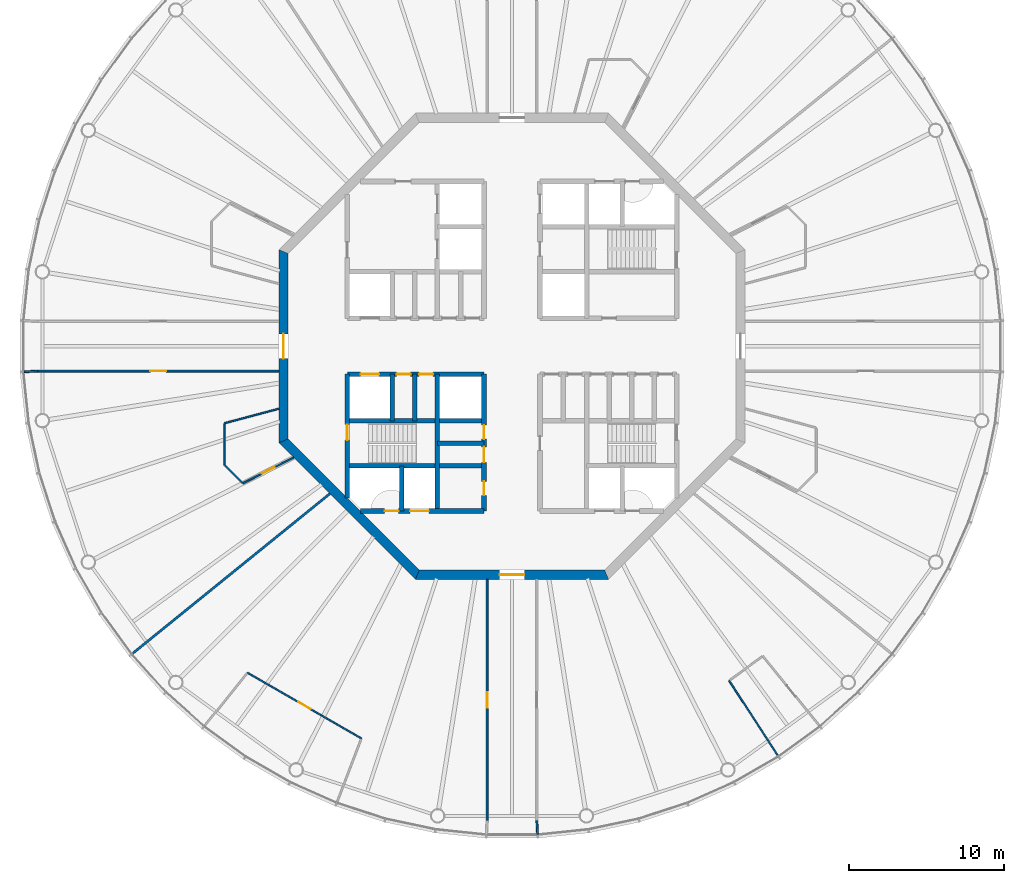
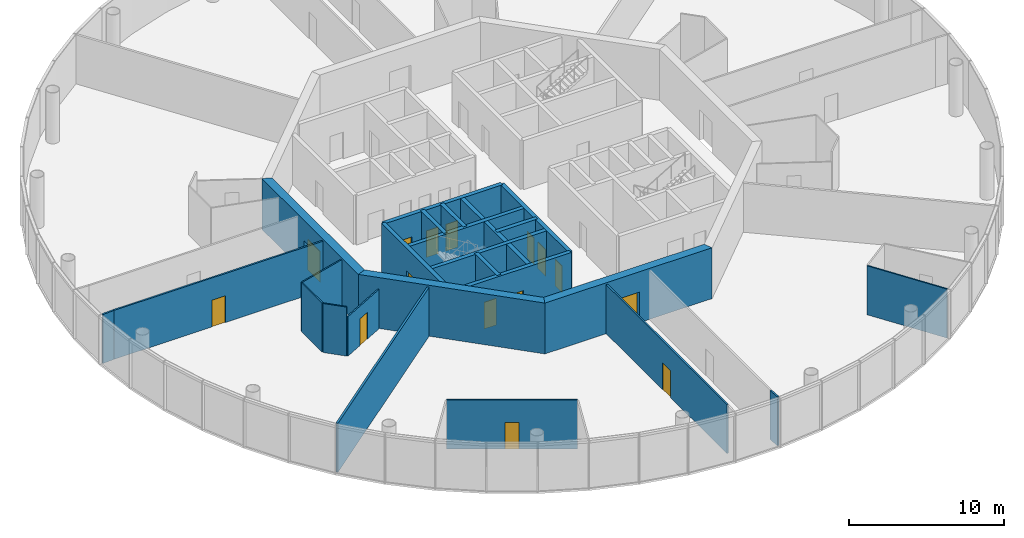
# One storey, part 3 of 13: 25 walls, 15 doors, 15 openings.
"""IFC4 building model written with IfcOpenShell, lengths in metres."""

from ifc_helpers import new_model, si_unit, direction, frame, frame_2d, origin, place, context, subcontext, project, spatial, polyline, rectangle, outline, extrude, material, layer, layer_set, type_object, element, fill, save


model = new_model("IFC4")

# Units and contexts
model_context = context("Model", 3, precision=1e-05, world=origin(), true_north=direction((0.0, 1.0)))
body_context = subcontext(model_context, "Body", "Model", "MODEL_VIEW")
ifc_project = project(units=[si_unit("LENGTHUNIT", "METRE"), si_unit("AREAUNIT", "SQUARE_METRE"), si_unit("VOLUMEUNIT", "CUBIC_METRE"), si_unit("PLANEANGLEUNIT", "RADIAN"), si_unit("MASSUNIT", "GRAM", prefix="KILO")], contexts=[model_context])

# Site, building, storey
site_placement = place(None, origin())
site = spatial("IfcSite", under=ifc_project, at=site_placement, CompositionType="ELEMENT")
building_placement = place(site_placement, origin())
building = spatial("IfcBuilding", under=site, at=building_placement, Name="Entoto Ring Tower", CompositionType="ELEMENT")
storey_placement = place(building_placement, frame((0.0, 0.0, 340.0)))
storey = spatial("IfcBuildingStorey", under=building, at=storey_placement, Name="L78", CompositionType="ELEMENT", Elevation=340.0)

# Wall, openings, doors
ifc_material_1 = material(Name="Concrete C40/50", Category="concrete")
ifc_layer_1 = layer(ifc_material_1, 0.300048828125)
ifc_layer_set_1 = layer_set([ifc_layer_1], Name="Concrete C40/50")
wall_type_1 = type_object("IfcWallType", Name="Core enclosure wall 300 mm reinforced concrete", PredefinedType="SOLIDWALL", material=ifc_layer_set_1)
wall_1_placement = place(storey_placement, frame((88.199951171875, 69.39990234375, 0.0), z_axis=(0.0, 0.0, 1.0), x_axis=(0.0, 1.0, 0.0)))
wall_1 = element("IfcWall", 1, at=wall_1_placement, inside=storey, type_object=wall_type_1, Name="wall-L78-013", PredefinedType="SOLIDWALL", context=body_context, shape_type="SweptSolid", body=[
    extrude(rectangle(XDim=8.800048828125, YDim=0.300048828125, at=frame_2d((4.39990234375, 0.0))), origin(), (0.0, 0.0, 1.0), 3.85009765625),
])
opening_1_placement = place(wall_1_placement, frame((3.125, 0.0, 0.0)))
opening_1 = element("IfcOpeningElement", 2, at=opening_1_placement, cuts=wall_1, Name="Opening K-70", PredefinedType="OPENING", context=body_context, shape_type="SweptSolid", body=[
    extrude(rectangle(XDim=1.0, YDim=2.10009765625, at=frame_2d((0.5, 1.050048828125))), frame((0.0, 0.16015625, 0.0), z_axis=(0.0, -1.0, 0.0), x_axis=(1.0, 0.0, 0.0)), (0.0, 0.0, 1.0), 0.320068359375),
])
opening_2_placement = place(wall_1_placement, frame((4.625, 0.0, 0.0)))
opening_2 = element("IfcOpeningElement", 3, at=opening_2_placement, cuts=wall_1, Name="Opening K-71", PredefinedType="OPENING", context=body_context, shape_type="SweptSolid", body=[
    extrude(rectangle(XDim=0.89990234375, YDim=2.10009765625, at=frame_2d((0.449951171875, 1.050048828125))), frame((0.0, 0.16015625, 0.0), z_axis=(0.0, -1.0, 0.0), x_axis=(1.0, 0.0, 0.0)), (0.0, 0.0, 1.0), 0.320068359375),
])
opening_3_placement = place(wall_1_placement, frame((1.0, 0.0, 0.0)))
opening_3 = element("IfcOpeningElement", 4, at=opening_3_placement, cuts=wall_1, Name="Opening K-24", PredefinedType="OPENING", context=body_context, shape_type="SweptSolid", body=[
    extrude(rectangle(XDim=0.89990234375, YDim=2.10009765625, at=frame_2d((0.449951171875, 1.050048828125))), frame((0.0, 0.16015625, 0.0), z_axis=(0.0, -1.0, 0.0), x_axis=(1.0, 0.0, 0.0)), (0.0, 0.0, 1.0), 0.320068359375),
])
ifc_material_2 = material(Name="Steel door leaf, fire rated", Category="steel")
ifc_layer_2 = layer(ifc_material_2, 0.050048828125)
ifc_layer_set_2 = layer_set([ifc_layer_2], Name="Steel door leaf, fire rated")
door_type_1 = type_object("IfcDoorType", Name="Accessible door 1000 x 2100 single leaf", OperationType="NOTDEFINED", PredefinedType="DOOR", material=ifc_layer_set_2)
door_1_placement = place(opening_1_placement, origin())
door_1 = element("IfcDoor", 5, at=door_1_placement, inside=storey, type_object=door_type_1, Name="Door K-70", OperationType="SINGLE_SWING_RIGHT", OverallHeight=2.10009765625, OverallWidth=1.0, PredefinedType="DOOR", context=body_context, shape_type="SweptSolid", body=[
    extrude(rectangle(XDim=1.0, YDim=2.10009765625, at=frame_2d((0.5, 1.050048828125))), frame((0.0, 0.02490234375, 0.0), z_axis=(0.0, -1.0, 0.0), x_axis=(1.0, 0.0, 0.0)), (0.0, 0.0, 1.0), 0.050048828125),
])
fill(opening_1, door_1)
ifc_material_3 = material(Name="Steel door leaf, fire rated", Category="steel")
ifc_layer_3 = layer(ifc_material_3, 0.050048828125)
ifc_layer_set_3 = layer_set([ifc_layer_3], Name="Steel door leaf, fire rated")
door_type_2 = type_object("IfcDoorType", Name="Core door 900 x 2100 single leaf", OperationType="NOTDEFINED", PredefinedType="DOOR", material=ifc_layer_set_3)
door_2_placement = place(opening_2_placement, origin())
door_2 = element("IfcDoor", 6, at=door_2_placement, inside=storey, type_object=door_type_2, Name="Door K-71", OperationType="SINGLE_SWING_RIGHT", OverallHeight=2.10009765625, OverallWidth=0.89990234375, PredefinedType="DOOR", context=body_context, shape_type="SweptSolid", body=[
    extrude(rectangle(XDim=0.89990234375, YDim=2.10009765625, at=frame_2d((0.449951171875, 1.050048828125))), frame((0.0, 0.02490234375, 0.0), z_axis=(0.0, -1.0, 0.0), x_axis=(1.0, 0.0, 0.0)), (0.0, 0.0, 1.0), 0.050048828125),
])
fill(opening_2, door_2)
door_3_placement = place(opening_3_placement, origin())
door_3 = element("IfcDoor", 7, at=door_3_placement, inside=storey, type_object=door_type_2, Name="Door K-24", OperationType="SINGLE_SWING_RIGHT", OverallHeight=2.10009765625, OverallWidth=0.89990234375, PredefinedType="DOOR", context=body_context, shape_type="SweptSolid", body=[
    extrude(rectangle(XDim=0.89990234375, YDim=2.10009765625, at=frame_2d((0.449951171875, 1.050048828125))), frame((0.0, 0.02490234375, 0.0), z_axis=(0.0, -1.0, 0.0), x_axis=(1.0, 0.0, 0.0)), (0.0, 0.0, 1.0), 0.050048828125),
])
fill(opening_3, door_3)

# Walls
wall_2_placement = place(storey_placement, frame((85.199951171875, 69.39990234375, 0.0), z_axis=(0.0, 0.0, 1.0), x_axis=(0.0, 1.0, 0.0)))
element("IfcWall", 8, at=wall_2_placement, inside=storey, type_object=wall_type_1, Name="wall-L78-016", PredefinedType="SOLIDWALL", context=body_context, shape_type="SweptSolid", body=[
    extrude(rectangle(XDim=8.800048828125, YDim=0.300048828125, at=frame_2d((4.39990234375, 0.0))), origin(), (0.0, 0.0, 1.0), 3.85009765625),
])
wall_3_placement = place(storey_placement, frame((83.75, 75.199951171875, 0.0), z_axis=(0.0, 0.0, 1.0), x_axis=(0.0, 1.0, 0.0)))
element("IfcWall", 9, at=wall_3_placement, inside=storey, type_object=wall_type_1, Name="wall-L78-018", PredefinedType="SOLIDWALL", context=body_context, shape_type="SweptSolid", body=[
    extrude(rectangle(XDim=3.0, YDim=0.300048828125, at=frame_2d((1.5, 0.0))), origin(), (0.0, 0.0, 1.0), 3.85009765625),
])
wall_4_placement = place(storey_placement, frame((82.89990234375, 69.39990234375, 0.0), z_axis=(0.0, 0.0, 1.0), x_axis=(0.0, 1.0, 0.0)))
element("IfcWall", 10, at=wall_4_placement, inside=storey, type_object=wall_type_1, Name="wall-L78-020", PredefinedType="SOLIDWALL", context=body_context, shape_type="SweptSolid", body=[
    extrude(rectangle(XDim=2.900146484375, YDim=0.300048828125, at=frame_2d((1.4501953125, 0.0))), origin(), (0.0, 0.0, 1.0), 3.85009765625),
])
wall_5_placement = place(storey_placement, frame((82.300048828125, 75.199951171875, 0.0), z_axis=(0.0, 0.0, 1.0), x_axis=(0.0, 1.0, 0.0)))
element("IfcWall", 11, at=wall_5_placement, inside=storey, type_object=wall_type_1, Name="wall-L78-021", PredefinedType="SOLIDWALL", context=body_context, shape_type="SweptSolid", body=[
    extrude(rectangle(XDim=3.0, YDim=0.300048828125, at=frame_2d((1.5, 0.0))), origin(), (0.0, 0.0, 1.0), 3.85009765625),
])

# Wall, opening, door
wall_6_placement = place(storey_placement, frame((79.39990234375, 70.2353515625, 0.0), z_axis=(0.0, 0.0, 1.0), x_axis=(0.0, 1.0, 0.0)))
wall_6 = element("IfcWall", 12, at=wall_6_placement, inside=storey, type_object=wall_type_1, Name="wall-L78-023", PredefinedType="SOLIDWALL", context=body_context, shape_type="SweptSolid", body=[
    extrude(rectangle(XDim=7.964599609375, YDim=0.300048828125, at=frame_2d((3.982421875, 0.0))), origin(), (0.0, 0.0, 1.0), 3.85009765625),
])
opening_4_placement = place(wall_6_placement, frame((3.714599609375, 0.0, 0.0)))
opening_4 = element("IfcOpeningElement", 13, at=opening_4_placement, cuts=wall_6, Name="Opening K-30", PredefinedType="OPENING", context=body_context, shape_type="SweptSolid", body=[
    extrude(rectangle(XDim=1.0, YDim=2.10009765625, at=frame_2d((0.5, 1.050048828125))), frame((0.0, 0.16015625, 0.0), z_axis=(0.0, -1.0, 0.0), x_axis=(1.0, 0.0, 0.0)), (0.0, 0.0, 1.0), 0.320068359375),
])
ifc_material_4 = material(Name="Steel door leaf, fire rated", Category="steel")
ifc_layer_4 = layer(ifc_material_4, 0.050048828125)
ifc_layer_set_4 = layer_set([ifc_layer_4], Name="Steel door leaf, fire rated")
door_type_3 = type_object("IfcDoorType", Name="Fire door FD60 1000 x 2100 single leaf", OperationType="NOTDEFINED", PredefinedType="DOOR", material=ifc_layer_set_4)
door_4_placement = place(opening_4_placement, frame((1.0, 0.0, 0.0), z_axis=(0.0, 0.0, 1.0), x_axis=(-1.0, 0.0, 0.0)))
door_4 = element("IfcDoor", 14, at=door_4_placement, inside=storey, type_object=door_type_3, Name="Door K-30", OperationType="SINGLE_SWING_LEFT", OverallHeight=2.10009765625, OverallWidth=1.0, PredefinedType="DOOR", context=body_context, shape_type="SweptSolid", body=[
    extrude(rectangle(XDim=1.0, YDim=2.10009765625, at=frame_2d((0.5, 1.050048828125))), frame((0.0, 0.02490234375, 0.0), z_axis=(0.0, -1.0, 0.0), x_axis=(1.0, 0.0, 0.0)), (0.0, 0.0, 1.0), 0.050048828125),
])
fill(opening_4, door_4)

# Wall, openings, doors
wall_7_placement = place(storey_placement, frame((80.2353515625, 69.39990234375, 0.0), z_axis=(0.0, 0.0, 1.0), x_axis=(1.0, 0.0, 0.0)))
wall_7 = element("IfcWall", 15, at=wall_7_placement, inside=storey, type_object=wall_type_1, Name="wall-L78-025", PredefinedType="SOLIDWALL", context=body_context, shape_type="SweptSolid", body=[
    extrude(rectangle(XDim=7.964599609375, YDim=0.300048828125, at=frame_2d((3.982421875, 0.0))), origin(), (0.0, 0.0, 1.0), 3.85009765625),
])
opening_5_placement = place(wall_7_placement, frame((3.214599609375, 0.0, 0.0)))
opening_5 = element("IfcOpeningElement", 16, at=opening_5_placement, cuts=wall_7, Name="Opening LD", PredefinedType="OPENING", context=body_context, shape_type="SweptSolid", body=[
    extrude(rectangle(XDim=1.199951171875, YDim=2.10009765625, at=frame_2d((0.60009765625, 1.050048828125))), frame((0.0, 0.16015625, 0.0), z_axis=(0.0, -1.0, 0.0), x_axis=(1.0, 0.0, 0.0)), (0.0, 0.0, 1.0), 0.320068359375),
])
opening_6_placement = place(wall_7_placement, frame((1.564697265625, 0.0, 0.0)))
opening_6 = element("IfcOpeningElement", 17, at=opening_6_placement, cuts=wall_7, Name="Opening K-33", PredefinedType="OPENING", context=body_context, shape_type="SweptSolid", body=[
    extrude(rectangle(XDim=0.89990234375, YDim=2.10009765625, at=frame_2d((0.449951171875, 1.050048828125))), frame((0.0, 0.16015625, 0.0), z_axis=(0.0, -1.0, 0.0), x_axis=(1.0, 0.0, 0.0)), (0.0, 0.0, 1.0), 0.320068359375),
])
ifc_material_5 = material(Name="Steel and glass door leaf", Category="steel")
ifc_layer_5 = layer(ifc_material_5, 0.050048828125)
ifc_layer_set_5 = layer_set([ifc_layer_5], Name="Steel and glass door leaf")
door_type_4 = type_object("IfcDoorType", Name="Landing door 1200 x 2100 sliding", OperationType="DOUBLE_DOOR_SLIDING", PredefinedType="DOOR", material=ifc_layer_set_5)
door_5_placement = place(opening_5_placement, origin())
door_5 = element("IfcDoor", 18, at=door_5_placement, inside=storey, type_object=door_type_4, Name="Landing door LB3-HR", OperationType="SLIDING_TO_RIGHT", OverallHeight=2.10009765625, OverallWidth=1.199951171875, PredefinedType="DOOR", context=body_context, shape_type="SweptSolid", body=[
    extrude(rectangle(XDim=1.199951171875, YDim=2.10009765625, at=frame_2d((0.60009765625, 1.050048828125))), frame((0.0, 0.02490234375, 0.0), z_axis=(0.0, -1.0, 0.0), x_axis=(1.0, 0.0, 0.0)), (0.0, 0.0, 1.0), 0.050048828125),
])
fill(opening_5, door_5)
ifc_material_6 = material(Name="Steel door leaf, fire rated", Category="steel")
ifc_layer_6 = layer(ifc_material_6, 0.050048828125)
ifc_layer_set_6 = layer_set([ifc_layer_6], Name="Steel door leaf, fire rated")
door_type_5 = type_object("IfcDoorType", Name="Riser door FD60 900 x 2100 single leaf", OperationType="NOTDEFINED", PredefinedType="DOOR", material=ifc_layer_set_6)
door_6_placement = place(opening_6_placement, origin())
door_6 = element("IfcDoor", 19, at=door_6_placement, inside=storey, type_object=door_type_5, Name="Door K-33", OperationType="SINGLE_SWING_RIGHT", OverallHeight=2.10009765625, OverallWidth=0.89990234375, PredefinedType="DOOR", context=body_context, shape_type="SweptSolid", body=[
    extrude(rectangle(XDim=0.89990234375, YDim=2.10009765625, at=frame_2d((0.449951171875, 1.050048828125))), frame((0.0, 0.02490234375, 0.0), z_axis=(0.0, -1.0, 0.0), x_axis=(1.0, 0.0, 0.0)), (0.0, 0.0, 1.0), 0.050048828125),
])
fill(opening_6, door_6)

# Walls
wall_8_placement = place(storey_placement, frame((79.39990234375, 72.300048828125, 0.0), z_axis=(0.0, 0.0, 1.0), x_axis=(1.0, 0.0, 0.0)))
element("IfcWall", 20, at=wall_8_placement, inside=storey, type_object=wall_type_1, Name="wall-L78-027", PredefinedType="SOLIDWALL", context=body_context, shape_type="SweptSolid", body=[
    extrude(rectangle(XDim=8.800048828125, YDim=0.300048828125, at=frame_2d((4.39990234375, 0.0))), origin(), (0.0, 0.0, 1.0), 3.85009765625),
])
wall_9_placement = place(storey_placement, frame((85.199951171875, 73.75, 0.0), z_axis=(0.0, 0.0, 1.0), x_axis=(1.0, 0.0, 0.0)))
element("IfcWall", 21, at=wall_9_placement, inside=storey, type_object=wall_type_1, Name="wall-L78-029", PredefinedType="SOLIDWALL", context=body_context, shape_type="SweptSolid", body=[
    extrude(rectangle(XDim=3.0, YDim=0.300048828125, at=frame_2d((1.5, 0.0))), origin(), (0.0, 0.0, 1.0), 3.85009765625),
])
wall_10_placement = place(storey_placement, frame((79.39990234375, 75.199951171875, 0.0), z_axis=(0.0, 0.0, 1.0), x_axis=(1.0, 0.0, 0.0)))
element("IfcWall", 22, at=wall_10_placement, inside=storey, type_object=wall_type_1, Name="wall-L78-030", PredefinedType="SOLIDWALL", context=body_context, shape_type="SweptSolid", body=[
    extrude(rectangle(XDim=8.800048828125, YDim=0.300048828125, at=frame_2d((4.39990234375, 0.0))), origin(), (0.0, 0.0, 1.0), 3.85009765625),
])

# Wall, openings, doors
wall_11_placement = place(storey_placement, frame((79.39990234375, 78.199951171875, 0.0), z_axis=(0.0, 0.0, 1.0), x_axis=(1.0, 0.0, 0.0)))
wall_11 = element("IfcWall", 23, at=wall_11_placement, inside=storey, type_object=wall_type_1, Name="wall-L78-032", PredefinedType="SOLIDWALL", context=body_context, shape_type="SweptSolid", body=[
    extrude(rectangle(XDim=8.800048828125, YDim=0.300048828125, at=frame_2d((4.39990234375, 0.0))), origin(), (0.0, 0.0, 1.0), 3.85009765625),
])
opening_7_placement = place(wall_11_placement, frame((0.85009765625, 0.0, 0.0)))
opening_7 = element("IfcOpeningElement", 24, at=opening_7_placement, cuts=wall_11, Name="Opening LD", PredefinedType="OPENING", context=body_context, shape_type="SweptSolid", body=[
    extrude(rectangle(XDim=1.199951171875, YDim=2.10009765625, at=frame_2d((0.60009765625, 1.050048828125))), frame((0.0, 0.16015625, 0.0), z_axis=(0.0, -1.0, 0.0), x_axis=(1.0, 0.0, 0.0)), (0.0, 0.0, 1.0), 0.320068359375),
])
opening_8_placement = place(wall_11_placement, frame((3.175048828125, 0.0, 0.0)))
opening_8 = element("IfcOpeningElement", 25, at=opening_8_placement, cuts=wall_11, Name="Opening K-18", PredefinedType="OPENING", context=body_context, shape_type="SweptSolid", body=[
    extrude(rectangle(XDim=0.89990234375, YDim=2.10009765625, at=frame_2d((0.449951171875, 1.050048828125))), frame((0.0, 0.16015625, 0.0), z_axis=(0.0, -1.0, 0.0), x_axis=(1.0, 0.0, 0.0)), (0.0, 0.0, 1.0), 0.320068359375),
])
opening_9_placement = place(wall_11_placement, frame((4.625, 0.0, 0.0)))
opening_9 = element("IfcOpeningElement", 26, at=opening_9_placement, cuts=wall_11, Name="Opening K-19", PredefinedType="OPENING", context=body_context, shape_type="SweptSolid", body=[
    extrude(rectangle(XDim=0.89990234375, YDim=2.10009765625, at=frame_2d((0.449951171875, 1.050048828125))), frame((0.0, 0.16015625, 0.0), z_axis=(0.0, -1.0, 0.0), x_axis=(1.0, 0.0, 0.0)), (0.0, 0.0, 1.0), 0.320068359375),
])
door_7_placement = place(opening_8_placement, frame((0.89990234375, 0.0, 0.0), z_axis=(0.0, 0.0, 1.0), x_axis=(-1.0, 0.0, 0.0)))
door_7 = element("IfcDoor", 27, at=door_7_placement, inside=storey, type_object=door_type_2, Name="Door K-18", OperationType="SINGLE_SWING_LEFT", OverallHeight=2.10009765625, OverallWidth=0.89990234375, PredefinedType="DOOR", context=body_context, shape_type="SweptSolid", body=[
    extrude(rectangle(XDim=0.89990234375, YDim=2.10009765625, at=frame_2d((0.449951171875, 1.050048828125))), frame((0.0, 0.02490234375, 0.0), z_axis=(0.0, -1.0, 0.0), x_axis=(1.0, 0.0, 0.0)), (0.0, 0.0, 1.0), 0.050048828125),
])
fill(opening_8, door_7)
door_8_placement = place(opening_9_placement, frame((0.89990234375, 0.0, 0.0), z_axis=(0.0, 0.0, 1.0), x_axis=(-1.0, 0.0, 0.0)))
door_8 = element("IfcDoor", 28, at=door_8_placement, inside=storey, type_object=door_type_2, Name="Door K-19", OperationType="SINGLE_SWING_LEFT", OverallHeight=2.10009765625, OverallWidth=0.89990234375, PredefinedType="DOOR", context=body_context, shape_type="SweptSolid", body=[
    extrude(rectangle(XDim=0.89990234375, YDim=2.10009765625, at=frame_2d((0.449951171875, 1.050048828125))), frame((0.0, 0.02490234375, 0.0), z_axis=(0.0, -1.0, 0.0), x_axis=(1.0, 0.0, 0.0)), (0.0, 0.0, 1.0), 0.050048828125),
])
fill(opening_9, door_8)
door_9_placement = place(opening_7_placement, origin())
door_9 = element("IfcDoor", 29, at=door_9_placement, inside=storey, type_object=door_type_4, Name="Landing door SH2", OperationType="SLIDING_TO_RIGHT", OverallHeight=2.10009765625, OverallWidth=1.199951171875, PredefinedType="DOOR", context=body_context, shape_type="SweptSolid", body=[
    extrude(rectangle(XDim=1.199951171875, YDim=2.10009765625, at=frame_2d((0.60009765625, 1.050048828125))), frame((0.0, 0.02490234375, 0.0), z_axis=(0.0, -1.0, 0.0), x_axis=(1.0, 0.0, 0.0)), (0.0, 0.0, 1.0), 0.050048828125),
])
fill(opening_7, door_9)

# Wall, opening, door
ifc_material_7 = material(Name="Concrete C40/50", Category="concrete")
ifc_layer_7 = layer(ifc_material_7, 0.60009765625)
ifc_layer_set_7 = layer_set([ifc_layer_7], Name="Concrete C40/50")
wall_type_2 = type_object("IfcWallType", Name="Core shear wall 600 mm reinforced concrete C40/50", PredefinedType="SHEAR", material=ifc_layer_set_7)
wall_12_placement = place(storey_placement, frame((75.300048828125, 86.0888671875, 0.0), z_axis=(0.0, 0.0, 1.0), x_axis=(0.0, -1.0, 0.0)))
wall_12 = element("IfcWall", 30, at=wall_12_placement, inside=storey, type_object=wall_type_2, Name="wall-L78-core-4", PredefinedType="SHEAR", context=body_context, shape_type="SweptSolid", body=[
    extrude(outline(polyline([(-0.124267578125, -0.300048828125), (12.302001953125, -0.300048828125), (12.053466796875, 0.300048828125), (0.124267578125, 0.300048828125), (-0.124267578125, -0.300048828125)])), origin(), (0.0, 0.0, 1.0), 4.0),
])
opening_10_placement = place(wall_12_placement, frame((5.288818359375, 0.0, 0.0)))
opening_10 = element("IfcOpeningElement", 31, at=opening_10_placement, cuts=wall_12, Name="Opening K-03", PredefinedType="OPENING", context=body_context, shape_type="SweptSolid", body=[
    extrude(rectangle(XDim=1.60009765625, YDim=2.39990234375, at=frame_2d((0.800048828125, 1.199951171875))), frame((0.0, 0.31005859375, 0.0), z_axis=(0.0, -1.0, 0.0), x_axis=(1.0, 0.0, 0.0)), (0.0, 0.0, 1.0), 0.6201171875),
])
ifc_material_8 = material(Name="Steel door leaf, fire rated", Category="steel")
ifc_layer_8 = layer(ifc_material_8, 0.050048828125)
ifc_layer_set_8 = layer_set([ifc_layer_8], Name="Steel door leaf, fire rated")
door_type_6 = type_object("IfcDoorType", Name="Entrance door FD60 1600 x 2400 double leaf", OperationType="DOUBLE_DOOR_SINGLE_SWING", PredefinedType="DOOR", material=ifc_layer_set_8)
door_10_placement = place(opening_10_placement, origin())
door_10 = element("IfcDoor", 32, at=door_10_placement, inside=storey, type_object=door_type_6, Name="Entrance door K-03", OperationType="DOUBLE_DOOR_SINGLE_SWING", OverallHeight=2.39990234375, OverallWidth=1.60009765625, PredefinedType="DOOR", context=body_context, shape_type="SweptSolid", body=[
    extrude(rectangle(XDim=1.60009765625, YDim=2.39990234375, at=frame_2d((0.800048828125, 1.199951171875))), frame((0.0, 0.02490234375, 0.0), z_axis=(0.0, -1.0, 0.0), x_axis=(1.0, 0.0, 0.0)), (0.0, 0.0, 1.0), 0.050048828125),
])
fill(opening_10, door_10)

# Wall
wall_13_placement = place(storey_placement, frame((75.300048828125, 73.9111328125, 0.0), z_axis=(0.0, 0.0, 1.0), x_axis=(0.707106781187, -0.707106781187, 0.0)))
element("IfcWall", 33, at=wall_13_placement, inside=storey, type_object=wall_type_2, Name="wall-L78-core-5", PredefinedType="SHEAR", context=body_context, shape_type="SweptSolid", body=[
    extrude(outline(polyline([(-0.124267578125, -0.300048828125), (12.30224609375, -0.300048828125), (12.0537109375, 0.300048828125), (0.124267578125, 0.300048828125), (-0.124267578125, -0.300048828125)])), origin(), (0.0, 0.0, 1.0), 4.0),
])

# Wall, opening, door
wall_14_placement = place(storey_placement, frame((83.9111328125, 65.300048828125, 0.0), z_axis=(0.0, 0.0, 1.0), x_axis=(1.0, 0.0, 0.0)))
wall_14 = element("IfcWall", 34, at=wall_14_placement, inside=storey, type_object=wall_type_2, Name="wall-L78-core-6", PredefinedType="SHEAR", context=body_context, shape_type="SweptSolid", body=[
    extrude(outline(polyline([(-0.124267578125, -0.300048828125), (12.302001953125, -0.300048828125), (12.053466796875, 0.300048828125), (0.124267578125, 0.300048828125), (-0.124267578125, -0.300048828125)])), origin(), (0.0, 0.0, 1.0), 4.0),
])
opening_11_placement = place(wall_14_placement, frame((5.288818359375, 0.0, 0.0)))
opening_11 = element("IfcOpeningElement", 35, at=opening_11_placement, cuts=wall_14, Name="Opening K-04", PredefinedType="OPENING", context=body_context, shape_type="SweptSolid", body=[
    extrude(rectangle(XDim=1.60009765625, YDim=2.39990234375, at=frame_2d((0.800048828125, 1.199951171875))), frame((0.0, 0.31005859375, 0.0), z_axis=(0.0, -1.0, 0.0), x_axis=(1.0, 0.0, 0.0)), (0.0, 0.0, 1.0), 0.6201171875),
])
door_11_placement = place(opening_11_placement, origin())
door_11 = element("IfcDoor", 36, at=door_11_placement, inside=storey, type_object=door_type_6, Name="Entrance door K-04", OperationType="DOUBLE_DOOR_SINGLE_SWING", OverallHeight=2.39990234375, OverallWidth=1.60009765625, PredefinedType="DOOR", context=body_context, shape_type="SweptSolid", body=[
    extrude(rectangle(XDim=1.60009765625, YDim=2.39990234375, at=frame_2d((0.800048828125, 1.199951171875))), frame((0.0, 0.02490234375, 0.0), z_axis=(0.0, -1.0, 0.0), x_axis=(1.0, 0.0, 0.0)), (0.0, 0.0, 1.0), 0.050048828125),
])
fill(opening_11, door_11)

ifc_material_9 = material(Name="Fire-resisting plasterboard on steel studs", Category="steel")
ifc_layer_9 = layer(ifc_material_9, 0.125)
ifc_layer_set_9 = layer_set([ifc_layer_9], Name="Fire-resisting plasterboard on steel studs")
wall_type_3 = type_object("IfcWallType", Name="Corridor wall 125 mm one-hour plasterboard on steel studs", PredefinedType="PARTITIONING", material=ifc_layer_set_9)
wall_15_placement = place(storey_placement, frame((59.47021484375, 78.39990234375, 0.0), z_axis=(0.0, 0.0, 1.0), x_axis=(1.0, 0.0, 0.0)))
wall_15 = element("IfcWall", 37, at=wall_15_placement, inside=storey, type_object=wall_type_3, Name="partition-L78-001", PredefinedType="PARTITIONING", context=body_context, shape_type="SweptSolid", body=[
    extrude(rectangle(XDim=15.52978515625, YDim=0.125, at=frame_2d((7.764892578125, 0.0))), origin(), (0.0, 0.0, 1.0), 3.85009765625),
])
opening_12_placement = place(wall_15_placement, frame((7.264892578125, 0.0, 0.0)))
opening_12 = element("IfcOpeningElement", 38, at=opening_12_placement, cuts=wall_15, Name="Opening A34-D08", PredefinedType="OPENING", context=body_context, shape_type="SweptSolid", body=[
    extrude(rectangle(XDim=1.0, YDim=2.10009765625, at=frame_2d((0.5, 1.050048828125))), frame((0.0, 0.072509765625, 0.0), z_axis=(0.0, -1.0, 0.0), x_axis=(1.0, 0.0, 0.0)), (0.0, 0.0, 1.0), 0.14501953125),
])
ifc_material_10 = material(Name="Fire-resisting timber door set", Category="wood")
door_type_7 = type_object("IfcDoorType", Name="Door 1000 x 2100 single leaf FD30S fire door", OperationType="NOTDEFINED", PredefinedType="DOOR", material=ifc_material_10)
door_12_placement = place(opening_12_placement, frame((1.0, 0.0, 0.0), z_axis=(0.0, 0.0, 1.0), x_axis=(-1.0, 0.0, 0.0)))
door_12 = element("IfcDoor", 39, at=door_12_placement, inside=storey, type_object=door_type_7, Name="Door A34-D08", OperationType="SINGLE_SWING_LEFT", OverallHeight=2.10009765625, OverallWidth=1.0, PredefinedType="DOOR", context=body_context, shape_type="SweptSolid", body=[
    extrude(rectangle(XDim=1.0, YDim=2.10009765625, at=frame_2d((0.5, 1.050048828125))), frame((0.0, 0.02490234375, 0.0), z_axis=(0.0, -1.0, 0.0), x_axis=(1.0, 0.0, 0.0)), (0.0, 0.0, 1.0), 0.050048828125),
])
fill(opening_12, door_12)

wall_16_placement = place(storey_placement, frame((88.39990234375, 49.47021484375, 0.0), z_axis=(0.0, 0.0, 1.0), x_axis=(0.0, 1.0, 0.0)))
wall_16 = element("IfcWall", 40, at=wall_16_placement, inside=storey, type_object=wall_type_3, Name="partition-L78-003", PredefinedType="PARTITIONING", context=body_context, shape_type="SweptSolid", body=[
    extrude(rectangle(XDim=15.52978515625, YDim=0.125, at=frame_2d((7.764892578125, 0.0))), origin(), (0.0, 0.0, 1.0), 3.85009765625),
])
opening_13_placement = place(wall_16_placement, frame((7.264892578125, 0.0, 0.0)))
opening_13 = element("IfcOpeningElement", 41, at=opening_13_placement, cuts=wall_16, Name="Opening A34-D10", PredefinedType="OPENING", context=body_context, shape_type="SweptSolid", body=[
    extrude(rectangle(XDim=1.0, YDim=2.10009765625, at=frame_2d((0.5, 1.050048828125))), frame((0.0, 0.072509765625, 0.0), z_axis=(0.0, -1.0, 0.0), x_axis=(1.0, 0.0, 0.0)), (0.0, 0.0, 1.0), 0.14501953125),
])
door_13_placement = place(opening_13_placement, origin())
door_13 = element("IfcDoor", 42, at=door_13_placement, inside=storey, type_object=door_type_7, Name="Door A34-D10", OperationType="SINGLE_SWING_RIGHT", OverallHeight=2.10009765625, OverallWidth=1.0, PredefinedType="DOOR", context=body_context, shape_type="SweptSolid", body=[
    extrude(rectangle(XDim=1.0, YDim=2.10009765625, at=frame_2d((0.5, 1.050048828125))), frame((0.0, 0.02490234375, 0.0), z_axis=(0.0, -1.0, 0.0), x_axis=(1.0, 0.0, 0.0)), (0.0, 0.0, 1.0), 0.050048828125),
])
fill(opening_13, door_13)

# Walls
for number, where, z_axis, x_axis, name in (
    (43, (58.60302734375, 78.3544921875, 0.0), (0.0, 0.0, 1.0), (0.998620946423, 0.052499574911, 0.0), "partition-L78-009"),
    (44, (91.6455078125, 48.60302734375, 0.0), (0.0, 0.0, 1.0), (-0.052499574911, 0.998620946423, 0.0), "partition-L78-014"),
):
    element("IfcWall", number, at=place(storey_placement, frame(where, z_axis=z_axis, x_axis=x_axis)), inside=storey, type_object=wall_type_3, Name=name, PredefinedType="PARTITIONING", context=body_context, shape_type="SweptSolid", body=[
        extrude(rectangle(XDim=0.864990234375, YDim=0.125, at=frame_2d((0.4326171875, 0.0))), origin(), (0.0, 0.0, 1.0), 3.85009765625),
    ])

# Wall, opening, door
ifc_material_11 = material(Name="Plasterboard on steel studs", Category="steel")
ifc_layer_10 = layer(ifc_material_11, 0.10009765625)
ifc_layer_set_10 = layer_set([ifc_layer_10], Name="Plasterboard on steel studs")
wall_type_4 = type_object("IfcWallType", Name="Partition 100 mm plasterboard on steel studs", PredefinedType="PARTITIONING", material=ifc_layer_set_10)
wall_17_placement = place(storey_placement, frame((80.309814453125, 54.756103515625, 0.0), z_axis=(0.0, 0.0, 1.0), x_axis=(-0.866028922334, 0.499993905644, 0.0)))
wall_17 = element("IfcWall", 45, at=wall_17_placement, inside=storey, type_object=wall_type_4, Name="partition-L78-021", PredefinedType="PARTITIONING", context=body_context, shape_type="SweptSolid", body=[
    extrude(rectangle(XDim=8.4599609375, YDim=0.10009765625, at=frame_2d((4.22998046875, 0.0))), origin(), (0.0, 0.0, 1.0), 3.85009765625),
])
opening_14_placement = place(wall_17_placement, frame((3.780029296875, 0.0, 0.0)))
opening_14 = element("IfcOpeningElement", 46, at=opening_14_placement, cuts=wall_17, Name="Opening A34-D11", PredefinedType="OPENING", context=body_context, shape_type="SweptSolid", body=[
    extrude(rectangle(XDim=0.89990234375, YDim=2.10009765625, at=frame_2d((0.449951171875, 1.050048828125))), frame((0.0, 0.06005859375, 0.0), z_axis=(0.0, -1.0, 0.0), x_axis=(1.0, 0.0, 0.0)), (0.0, 0.0, 1.0), 0.1201171875),
])
ifc_material_12 = material(Name="Veneered timber door leaf in timber frame", Category="wood")
door_type_8 = type_object("IfcDoorType", Name="Door 900 x 2100 single leaf timber veneer", OperationType="NOTDEFINED", PredefinedType="DOOR", material=ifc_material_12)
door_14_placement = place(opening_14_placement, origin())
door_14 = element("IfcDoor", 47, at=door_14_placement, inside=storey, type_object=door_type_8, Name="Door A34-D11", OperationType="SINGLE_SWING_RIGHT", OverallHeight=2.10009765625, OverallWidth=0.89990234375, PredefinedType="DOOR", context=body_context, shape_type="SweptSolid", body=[
    extrude(rectangle(XDim=0.89990234375, YDim=2.10009765625, at=frame_2d((0.449951171875, 1.050048828125))), frame((0.0, 0.02490234375, 0.0), z_axis=(0.0, -1.0, 0.0), x_axis=(1.0, 0.0, 0.0)), (0.0, 0.0, 1.0), 0.050048828125),
])
fill(opening_14, door_14)

# Walls
wall_18_placement = place(storey_placement, frame((107.12353515625, 53.632080078125, 0.0), z_axis=(0.0, 0.0, 1.0), x_axis=(-0.544649814042, 0.838663567865, 0.0)))
element("IfcWall", 48, at=wall_18_placement, inside=storey, type_object=wall_type_4, Name="partition-L78-023", PredefinedType="PARTITIONING", context=body_context, shape_type="SweptSolid", body=[
    extrude(rectangle(XDim=5.7802734375, YDim=0.10009765625, at=frame_2d((2.89013671875, 0.0))), origin(), (0.0, 0.0, 1.0), 3.85009765625),
])
wall_19_placement = place(storey_placement, frame((71.510009765625, 75.045654296875, 0.0), z_axis=(0.0, 0.0, 1.0), x_axis=(0.965931463292, 0.258798006604, 0.0)))
element("IfcWall", 49, at=wall_19_placement, inside=storey, type_object=wall_type_4, Name="partition-L78-034", PredefinedType="PARTITIONING", context=body_context, shape_type="SweptSolid", body=[
    extrude(rectangle(XDim=3.613037109375, YDim=0.10009765625, at=frame_2d((1.806640625, 0.0))), origin(), (0.0, 0.0, 1.0), 3.85009765625),
])
wall_20_placement = place(storey_placement, frame((71.510009765625, 72.34130859375, 0.0), z_axis=(0.0, 0.0, 1.0), x_axis=(0.0, 1.0, 0.0)))
element("IfcWall", 50, at=wall_20_placement, inside=storey, type_object=wall_type_4, Name="partition-L78-039", PredefinedType="PARTITIONING", context=body_context, shape_type="SweptSolid", body=[
    extrude(rectangle(XDim=2.656005859375, YDim=0.10009765625, at=frame_2d((1.328125, 0.0))), origin(), (0.0, 0.0, 1.0), 3.85009765625),
])
wall_21_placement = place(storey_placement, frame((72.643798828125, 71.207275390625, 0.0), z_axis=(0.0, 0.0, 1.0), x_axis=(-0.707028944567, 0.707184609239, 0.0)))
element("IfcWall", 51, at=wall_21_placement, inside=storey, type_object=wall_type_4, Name="partition-L78-045", PredefinedType="PARTITIONING", context=body_context, shape_type="SweptSolid", body=[
    extrude(rectangle(XDim=1.568359375, YDim=0.10009765625, at=frame_2d((0.7841796875, 0.0))), origin(), (0.0, 0.0, 1.0), 3.85009765625),
])

# Wall, opening, door
ifc_material_13 = material(Name="Plasterboard on steel studs", Category="steel")
ifc_layer_11 = layer(ifc_material_13, 0.10009765625)
ifc_layer_set_11 = layer_set([ifc_layer_11], Name="Plasterboard on steel studs")
wall_type_5 = type_object("IfcWallType", Name="Partition 100 mm plasterboard on steel studs, 3097 mm high", PredefinedType="PARTITIONING", material=ifc_layer_set_11)
wall_22_placement = place(storey_placement, frame((72.677490234375, 71.173583984375, 0.0), z_axis=(0.0, 0.0, 1.0), x_axis=(0.89099481201, 0.454013485451, 0.0)))
wall_22 = element("IfcWall", 52, at=wall_22_placement, inside=storey, type_object=wall_type_5, Name="partition-L78-032", PredefinedType="PARTITIONING", context=body_context, shape_type="SweptSolid", body=[
    extrude(rectangle(XDim=3.66943359375, YDim=0.10009765625, at=frame_2d((1.834716796875, 0.0))), origin(), (0.0, 0.0, 1.0), 3.096923828125),
])
opening_15_placement = place(wall_22_placement, frame((1.384765625, 0.0, 0.0)))
opening_15 = element("IfcOpeningElement", 53, at=opening_15_placement, cuts=wall_22, Name="Opening A34-D09", PredefinedType="OPENING", context=body_context, shape_type="SweptSolid", body=[
    extrude(rectangle(XDim=0.89990234375, YDim=2.10009765625, at=frame_2d((0.449951171875, 1.050048828125))), frame((0.0, 0.06005859375, 0.0), z_axis=(0.0, -1.0, 0.0), x_axis=(1.0, 0.0, 0.0)), (0.0, 0.0, 1.0), 0.1201171875),
])
door_15_placement = place(opening_15_placement, origin())
door_15 = element("IfcDoor", 54, at=door_15_placement, inside=storey, type_object=door_type_8, Name="Door A34-D09", OperationType="SINGLE_SWING_RIGHT", OverallHeight=2.10009765625, OverallWidth=0.89990234375, PredefinedType="DOOR", context=body_context, shape_type="SweptSolid", body=[
    extrude(rectangle(XDim=0.89990234375, YDim=2.10009765625, at=frame_2d((0.449951171875, 1.050048828125))), frame((0.0, 0.02490234375, 0.0), z_axis=(0.0, -1.0, 0.0), x_axis=(1.0, 0.0, 0.0)), (0.0, 0.0, 1.0), 0.050048828125),
])
fill(opening_15, door_15)

# Wall
ifc_material_14 = material(Name="Fire-resisting acoustic plasterboard on steel studs", Category="steel")
ifc_layer_12 = layer(ifc_material_14, 0.14990234375)
ifc_layer_set_12 = layer_set([ifc_layer_12], Name="Fire-resisting acoustic plasterboard on steel studs")
wall_type_6 = type_object("IfcWallType", Name="Party wall 150 mm one-hour acoustic plasterboard on steel studs", PredefinedType="PARTITIONING", material=ifc_layer_set_12)
wall_23_placement = place(storey_placement, frame((65.56640625, 60.214111328125, 0.0), z_axis=(0.0, 0.0, 1.0), x_axis=(0.777143368827, 0.629323592667, 0.0)))
element("IfcWall", 55, at=wall_23_placement, inside=storey, type_object=wall_type_6, Name="partition-L78-017", PredefinedType="PARTITIONING", context=body_context, shape_type="SweptSolid", body=[
    extrude(rectangle(XDim=16.357666015625, YDim=0.14990234375, at=frame_2d((8.1787109375, 0.0))), origin(), (0.0, 0.0, 1.0), 3.85009765625),
])

save(model, "model.ifc")
